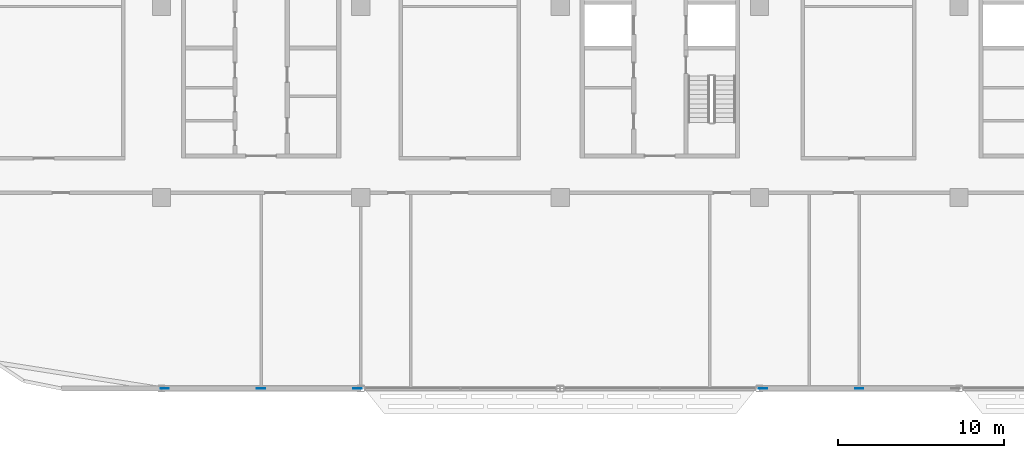
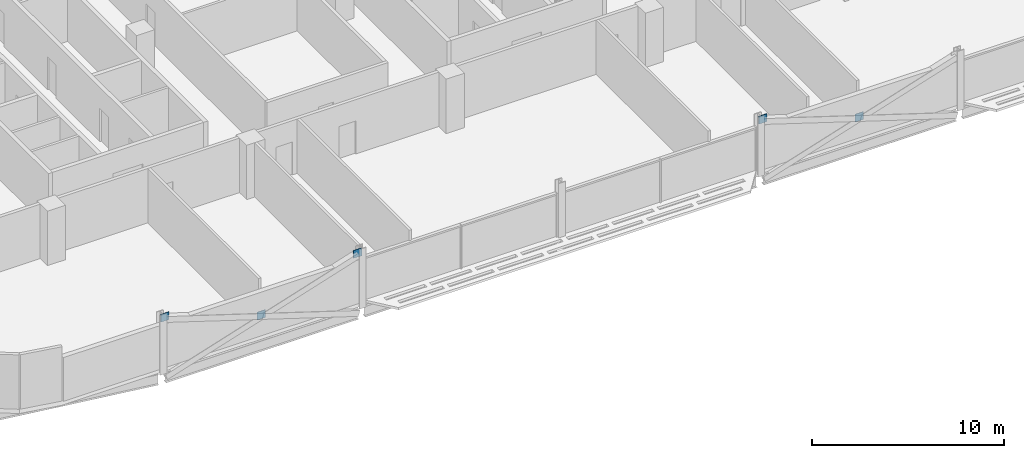
# One storey, part 20 of 30: 5 discrete accessories.
"""IFC4 building model written with IfcOpenShell, lengths in metres."""

from ifc_helpers import new_model, si_unit, direction, frame, origin, origin_2d, place, context, subcontext, project, spatial, rectangle, extrude, material, layer, layer_set, type_object, element, save


model = new_model("IFC4")

# Units and contexts
model_context = context("Model", 3, precision=1e-05, world=origin(), true_north=direction((0.0, 1.0)))
body_context = subcontext(model_context, "Body", "Model", "MODEL_VIEW")
ifc_project = project(units=[si_unit("LENGTHUNIT", "METRE"), si_unit("AREAUNIT", "SQUARE_METRE"), si_unit("VOLUMEUNIT", "CUBIC_METRE"), si_unit("PLANEANGLEUNIT", "RADIAN"), si_unit("MASSUNIT", "GRAM", prefix="KILO")], contexts=[model_context])

# Site, building, storey
site_placement = place(None, origin())
site = spatial("IfcSite", under=ifc_project, at=site_placement, CompositionType="ELEMENT")
building_placement = place(site_placement, origin())
building = spatial("IfcBuilding", under=site, at=building_placement, Name="Mahtab Terrace Research Tower", CompositionType="ELEMENT")
storey_placement = place(building_placement, frame((0.0, 0.0, 216.699951171875)))
storey = spatial("IfcBuildingStorey", under=building, at=storey_placement, Name="L52", CompositionType="ELEMENT", Elevation=216.699951171875)

# Discrete accessories
ifc_material = material(Name="Steel ASTM A992 Gr 50", Category="steel")
ifc_layer = layer(ifc_material, 0.030029296875)
ifc_layer_set = layer_set([ifc_layer], Name="Gusset plate 500x500x30")
discrete_accessory_type = type_object("IfcDiscreteAccessoryType", Name="Gusset plate 500x500x30", PredefinedType="USERDEFINED", material=ifc_layer_set)
for number, where, z_axis, x_axis, name in (
    (1, (-29.79931640625, -23.0, 2.870361328125), (0.0, 0.0, 1.0), (1.0, 0.0, 0.0), "Gusset plate"),
    (2, (-24.0, -23.0, 0.970947265625), (0.0, 0.0, 1.0), (1.0, 0.0, 0.0), "Gusset plate"),
    (3, (-18.20068359375, -23.0, 2.870361328125), (0.0, 0.0, 1.0), (1.0, 0.0, 0.0), "Gusset plate"),
    (4, (6.20068359375, -23.0, 2.870361328125), (0.0, 0.0, 1.0), (1.0, 0.0, 0.0), "Gusset plate"),
    (5, (12.0, -23.0, 0.970947265625), (0.0, 0.0, 1.0), (1.0, 0.0, 0.0), "Gusset plate"),
):
    element("IfcDiscreteAccessory", number, at=place(storey_placement, frame(where, z_axis=z_axis, x_axis=x_axis)), inside=storey, type_object=discrete_accessory_type, Name=name, ObjectType="GUSSET PLATE", PredefinedType="USERDEFINED", context=body_context, shape_type="SweptSolid", body=[
        extrude(rectangle(XDim=0.5, YDim=0.030029296875, at=origin_2d()), origin(), (0.0, 0.0, 1.0), 0.5),
    ])

save(model, "model.ifc")
